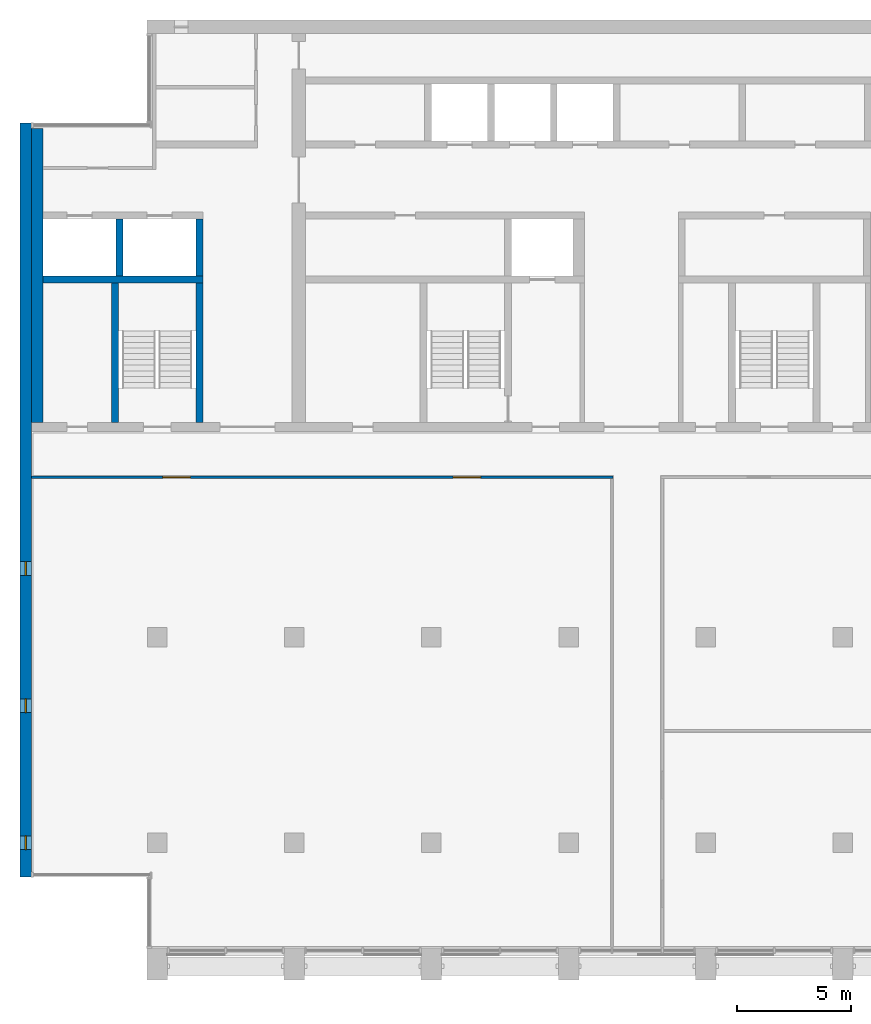
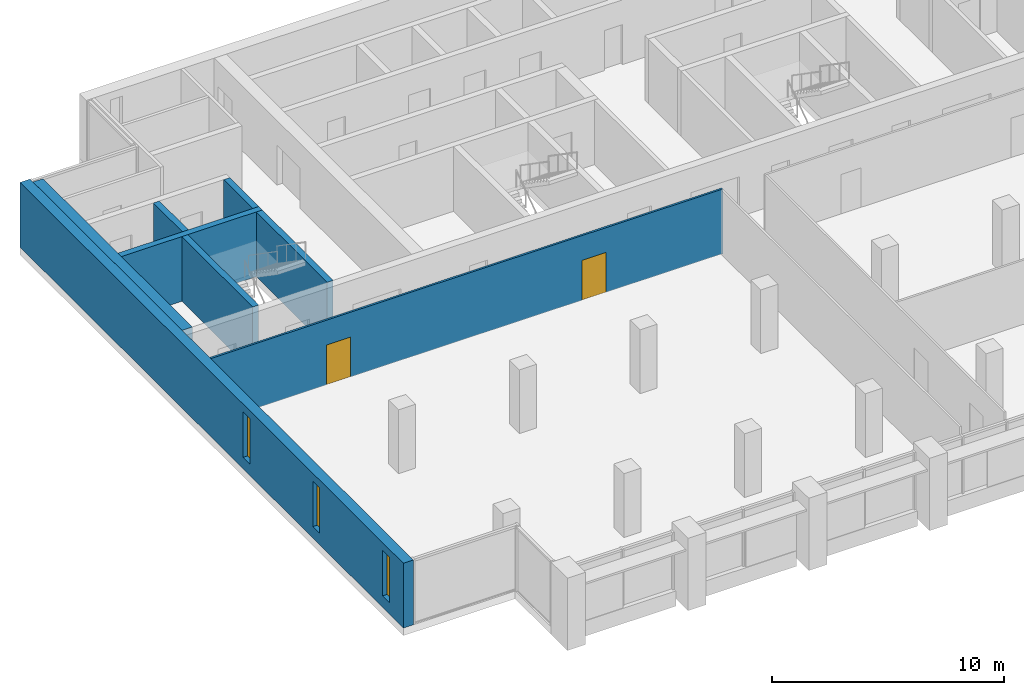
# One storey, part 7 of 14: 8 walls, 3 windows, 2 doors, 5 openings.
"""IFC4 building model written with IfcOpenShell, lengths in metres."""

from ifc_helpers import new_model, si_unit, direction, frame, frame_2d, origin, place, context, subcontext, project, spatial, rectangle, extrude, material, layer, layer_set, type_object, element, fill, save


model = new_model("IFC4")

# Units and contexts
model_context = context("Model", 3, precision=1e-05, world=origin(), true_north=direction((0.0, 1.0)))
body_context = subcontext(model_context, "Body", "Model", "MODEL_VIEW")
ifc_project = project(units=[si_unit("LENGTHUNIT", "METRE"), si_unit("AREAUNIT", "SQUARE_METRE"), si_unit("VOLUMEUNIT", "CUBIC_METRE"), si_unit("PLANEANGLEUNIT", "RADIAN"), si_unit("MASSUNIT", "GRAM", prefix="KILO")], contexts=[model_context])

# Site, building, storey
site_placement = place(None, origin())
site = spatial("IfcSite", under=ifc_project, at=site_placement, CompositionType="ELEMENT")
building_placement = place(site_placement, origin())
building = spatial("IfcBuilding", under=site, at=building_placement, Name="Calvaro Tower", CompositionType="ELEMENT")
storey_placement = place(building_placement, frame((0.0, 0.0, 246.949951171875)))
storey = spatial("IfcBuildingStorey", under=building, at=storey_placement, Name="L62", CompositionType="ELEMENT", Elevation=246.949951171875)

# Walls
ifc_material_1 = material(Name="Concrete C40/50", Category="concrete")
ifc_layer_1 = layer(ifc_material_1, 0.300048828125)
ifc_layer_set_1 = layer_set([ifc_layer_1], Name="Concrete C40/50")
wall_type_1 = type_object("IfcWallType", Name="Core wall C40/50 300", PredefinedType="SHEAR", material=ifc_layer_set_1)
for number, where, z_axis, x_axis, name in (
    (1, (10.14990234375, 28.39990234375, 0.0), (0.0, 0.0, 1.0), (0.0, 1.0, 0.0), "Core wall, stair enclosure"),
    (2, (13.85009765625, 28.39990234375, 0.0), (0.0, 0.0, 1.0), (0.0, 1.0, 0.0), "Core wall, stair enclosure"),
):
    element("IfcWall", number, at=place(storey_placement, frame(where, z_axis=z_axis, x_axis=x_axis)), inside=storey, type_object=wall_type_1, Name=name, PredefinedType="SHEAR", context=body_context, shape_type="SweptSolid", body=[
        extrude(rectangle(XDim=6.10009765625, YDim=0.300048828125, at=frame_2d((3.050048828125, 0.0))), origin(), (0.0, 0.0, 1.0), 3.400146484375),
    ])
wall_1_placement = place(storey_placement, frame((7.0, 34.64990234375, 0.0), z_axis=(0.0, 0.0, 1.0), x_axis=(1.0, 0.0, 0.0)))
element("IfcWall", 3, at=wall_1_placement, inside=storey, type_object=wall_type_1, Name="Core wall, lift shaft", PredefinedType="SHEAR", context=body_context, shape_type="SweptSolid", body=[
    extrude(rectangle(XDim=7.0, YDim=0.300048828125, at=frame_2d((3.5, 0.0))), origin(), (0.0, 0.0, 1.0), 3.400146484375),
])
for number, where, z_axis, x_axis, name in (
    (4, (13.85009765625, 34.800048828125, 0.0), (0.0, 0.0, 1.0), (0.0, 1.0, 0.0), "Core wall, lift shaft"),
    (5, (10.35009765625, 34.800048828125, 0.0), (0.0, 0.0, 1.0), (0.0, 1.0, 0.0), "Core wall, lift shaft"),
):
    element("IfcWall", number, at=place(storey_placement, frame(where, z_axis=z_axis, x_axis=x_axis)), inside=storey, type_object=wall_type_1, Name=name, PredefinedType="SHEAR", context=body_context, shape_type="SweptSolid", body=[
        extrude(rectangle(XDim=2.5, YDim=0.300048828125, at=frame_2d((1.25, 0.0))), origin(), (0.0, 0.0, 1.0), 3.400146484375),
    ])
ifc_material_2 = material(Name="Concrete C40/50", Category="concrete")
ifc_layer_2 = layer(ifc_material_2, 0.5)
ifc_layer_set_2 = layer_set([ifc_layer_2], Name="Concrete C40/50")
wall_type_2 = type_object("IfcWallType", Name="Core wall C40/50 500", PredefinedType="SHEAR", material=ifc_layer_set_2)
wall_2_placement = place(storey_placement, frame((6.75, 28.39990234375, 0.0), z_axis=(0.0, 0.0, 1.0), x_axis=(0.0, 1.0, 0.0)))
element("IfcWall", 6, at=wall_2_placement, inside=storey, type_object=wall_type_2, Name="Core wall, boundary", PredefinedType="SHEAR", context=body_context, shape_type="SweptSolid", body=[
    extrude(rectangle(XDim=12.85009765625, YDim=0.5, at=frame_2d((6.425048828125, 0.0))), origin(), (0.0, 0.0, 1.0), 3.400146484375),
])

# Wall, openings, windows
ifc_material_3 = material(Name="Concrete C40/50", Category="concrete")
ifc_layer_3 = layer(ifc_material_3, 0.5)
ifc_layer_set_3 = layer_set([ifc_layer_3], Name="Concrete C40/50")
wall_type_3 = type_object("IfcWallType", Name="End wall 500 C40/50", PredefinedType="SHEAR", material=ifc_layer_set_3)
wall_3_placement = place(storey_placement, frame((6.25, 8.5, 0.0), z_axis=(0.0, 0.0, 1.0), x_axis=(0.0, 1.0, 0.0)))
wall_3 = element("IfcWall", 7, at=wall_3_placement, inside=storey, type_object=wall_type_3, Name="End shear wall", PredefinedType="SHEAR", context=body_context, shape_type="SweptSolid", body=[
    extrude(rectangle(XDim=33.0, YDim=0.5, at=frame_2d((16.5, 0.0))), origin(), (0.0, 0.0, 1.0), 3.400146484375),
])
opening_1_placement = place(wall_3_placement, frame((1.199951171875, 0.0, 0.60009765625)))
opening_1 = element("IfcOpeningElement", 8, at=opening_1_placement, cuts=wall_3, Name="Opening WW01", PredefinedType="OPENING", context=body_context, shape_type="SweptSolid", body=[
    extrude(rectangle(XDim=0.60009765625, YDim=2.39990234375, at=frame_2d((0.300048828125, 1.199951171875))), frame((0.0, 0.260009765625, 0.0), z_axis=(0.0, -1.0, 0.0), x_axis=(1.0, 0.0, 0.0)), (0.0, 0.0, 1.0), 0.52001953125),
])
opening_2_placement = place(wall_3_placement, frame((7.199951171875, 0.0, 0.60009765625)))
opening_2 = element("IfcOpeningElement", 9, at=opening_2_placement, cuts=wall_3, Name="Opening WW02", PredefinedType="OPENING", context=body_context, shape_type="SweptSolid", body=[
    extrude(rectangle(XDim=0.60009765625, YDim=2.39990234375, at=frame_2d((0.300048828125, 1.199951171875))), frame((0.0, 0.260009765625, 0.0), z_axis=(0.0, -1.0, 0.0), x_axis=(1.0, 0.0, 0.0)), (0.0, 0.0, 1.0), 0.52001953125),
])
opening_3_placement = place(wall_3_placement, frame((13.199951171875, 0.0, 0.60009765625)))
opening_3 = element("IfcOpeningElement", 10, at=opening_3_placement, cuts=wall_3, Name="Opening WW03", PredefinedType="OPENING", context=body_context, shape_type="SweptSolid", body=[
    extrude(rectangle(XDim=0.60009765625, YDim=2.39990234375, at=frame_2d((0.300048828125, 1.199951171875))), frame((0.0, 0.260009765625, 0.0), z_axis=(0.0, -1.0, 0.0), x_axis=(1.0, 0.0, 0.0)), (0.0, 0.0, 1.0), 0.52001953125),
])
ifc_material_4 = material(Name="Glass", Category="glass")
window_type = type_object("IfcWindowType", Name="Slit window 600 x 2400", PartitioningType="SINGLE_PANEL", PredefinedType="WINDOW", material=ifc_material_4)
window_1_placement = place(opening_1_placement, origin())
window_1 = element("IfcWindow", 11, at=window_1_placement, inside=storey, type_object=window_type, Name="Window WW01", OverallHeight=2.39990234375, OverallWidth=0.60009765625, PartitioningType="SINGLE_PANEL", PredefinedType="WINDOW", context=body_context, shape_type="SweptSolid", body=[
    extrude(rectangle(XDim=0.60009765625, YDim=2.39990234375, at=frame_2d((0.300048828125, 1.199951171875))), frame((0.0, 0.030029296875, 0.0), z_axis=(0.0, -1.0, 0.0), x_axis=(1.0, 0.0, 0.0)), (0.0, 0.0, 1.0), 0.06005859375),
])
fill(opening_1, window_1)
window_2_placement = place(opening_2_placement, origin())
window_2 = element("IfcWindow", 12, at=window_2_placement, inside=storey, type_object=window_type, Name="Window WW02", OverallHeight=2.39990234375, OverallWidth=0.60009765625, PartitioningType="SINGLE_PANEL", PredefinedType="WINDOW", context=body_context, shape_type="SweptSolid", body=[
    extrude(rectangle(XDim=0.60009765625, YDim=2.39990234375, at=frame_2d((0.300048828125, 1.199951171875))), frame((0.0, 0.030029296875, 0.0), z_axis=(0.0, -1.0, 0.0), x_axis=(1.0, 0.0, 0.0)), (0.0, 0.0, 1.0), 0.06005859375),
])
fill(opening_2, window_2)
window_3_placement = place(opening_3_placement, origin())
window_3 = element("IfcWindow", 13, at=window_3_placement, inside=storey, type_object=window_type, Name="Window WW03", OverallHeight=2.39990234375, OverallWidth=0.60009765625, PartitioningType="SINGLE_PANEL", PredefinedType="WINDOW", context=body_context, shape_type="SweptSolid", body=[
    extrude(rectangle(XDim=0.60009765625, YDim=2.39990234375, at=frame_2d((0.300048828125, 1.199951171875))), frame((0.0, 0.030029296875, 0.0), z_axis=(0.0, -1.0, 0.0), x_axis=(1.0, 0.0, 0.0)), (0.0, 0.0, 1.0), 0.06005859375),
])
fill(opening_3, window_3)

# Wall, openings, doors
ifc_material_5 = material(Name="Plasterboard on steel studs", Category="steel")
ifc_layer_4 = layer(ifc_material_5, 0.10009765625)
ifc_layer_set_4 = layer_set([ifc_layer_4], Name="Plasterboard on steel studs")
wall_type_4 = type_object("IfcWallType", Name="Partition 100", PredefinedType="PARTITIONING", material=ifc_layer_set_4)
wall_4_placement = place(storey_placement, frame((6.5, 26.0, 0.0), z_axis=(0.0, 0.0, 1.0), x_axis=(1.0, 0.0, 0.0)))
wall_4 = element("IfcWall", 14, at=wall_4_placement, inside=storey, type_object=wall_type_4, Name="Partition T35.W002", PredefinedType="PARTITIONING", context=body_context, shape_type="SweptSolid", body=[
    extrude(rectangle(XDim=25.449951171875, YDim=0.10009765625, at=frame_2d((12.72509765625, 0.0))), origin(), (0.0, 0.0, 1.0), 3.400146484375),
])
opening_4_placement = place(wall_4_placement, frame((5.75, 0.0, 0.0)))
opening_4 = element("IfcOpeningElement", 15, at=opening_4_placement, cuts=wall_4, Name="Opening T35.003", PredefinedType="OPENING", context=body_context, shape_type="SweptSolid", body=[
    extrude(rectangle(XDim=1.199951171875, YDim=2.10009765625, at=frame_2d((0.60009765625, 1.050048828125))), frame((0.0, 0.06005859375, 0.0), z_axis=(0.0, -1.0, 0.0), x_axis=(1.0, 0.0, 0.0)), (0.0, 0.0, 1.0), 0.1201171875),
])
opening_5_placement = place(wall_4_placement, frame((18.449951171875, 0.0, 0.0)))
opening_5 = element("IfcOpeningElement", 16, at=opening_5_placement, cuts=wall_4, Name="Opening T35.004", PredefinedType="OPENING", context=body_context, shape_type="SweptSolid", body=[
    extrude(rectangle(XDim=1.199951171875, YDim=2.10009765625, at=frame_2d((0.60009765625, 1.050048828125))), frame((0.0, 0.06005859375, 0.0), z_axis=(0.0, -1.0, 0.0), x_axis=(1.0, 0.0, 0.0)), (0.0, 0.0, 1.0), 0.1201171875),
])
ifc_material_6 = material(Name="Timber", Category="wood")
door_type = type_object("IfcDoorType", Name="Internal single door 1200 x 2100", OperationType="SINGLE_SWING_LEFT", PredefinedType="DOOR", material=ifc_material_6)
door_1_placement = place(opening_4_placement, origin())
door_1 = element("IfcDoor", 17, at=door_1_placement, inside=storey, type_object=door_type, Name="Door T35.003", OperationType="SINGLE_SWING_LEFT", OverallHeight=2.10009765625, OverallWidth=1.199951171875, PredefinedType="DOOR", context=body_context, shape_type="SweptSolid", body=[
    extrude(rectangle(XDim=1.199951171875, YDim=2.10009765625, at=frame_2d((0.60009765625, 1.050048828125))), frame((0.0, 0.02490234375, 0.0), z_axis=(0.0, -1.0, 0.0), x_axis=(1.0, 0.0, 0.0)), (0.0, 0.0, 1.0), 0.050048828125),
])
fill(opening_4, door_1)
door_2_placement = place(opening_5_placement, origin())
door_2 = element("IfcDoor", 18, at=door_2_placement, inside=storey, type_object=door_type, Name="Door T35.004", OperationType="SINGLE_SWING_RIGHT", OverallHeight=2.10009765625, OverallWidth=1.199951171875, PredefinedType="DOOR", context=body_context, shape_type="SweptSolid", body=[
    extrude(rectangle(XDim=1.199951171875, YDim=2.10009765625, at=frame_2d((0.60009765625, 1.050048828125))), frame((0.0, 0.02490234375, 0.0), z_axis=(0.0, -1.0, 0.0), x_axis=(1.0, 0.0, 0.0)), (0.0, 0.0, 1.0), 0.050048828125),
])
fill(opening_5, door_2)

save(model, "model.ifc")
